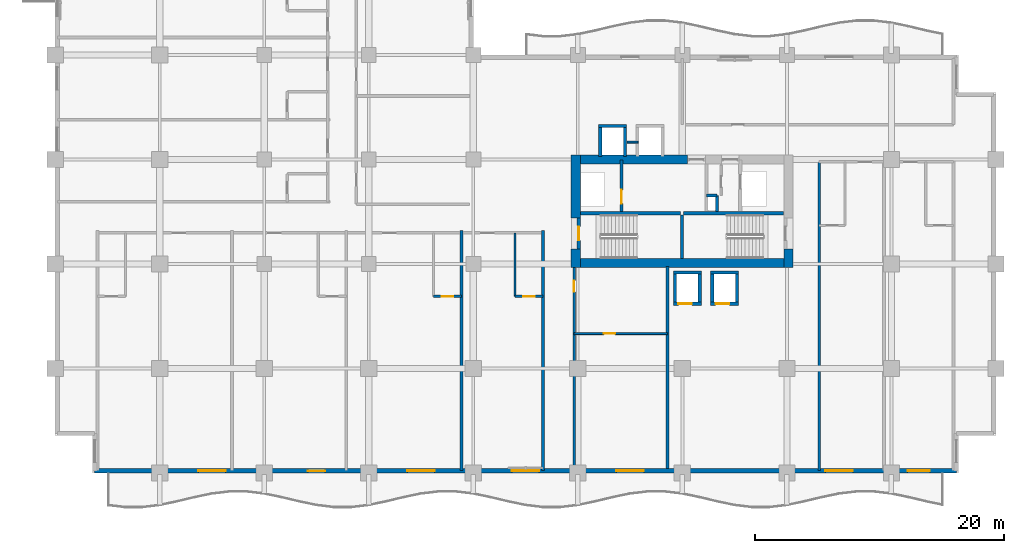
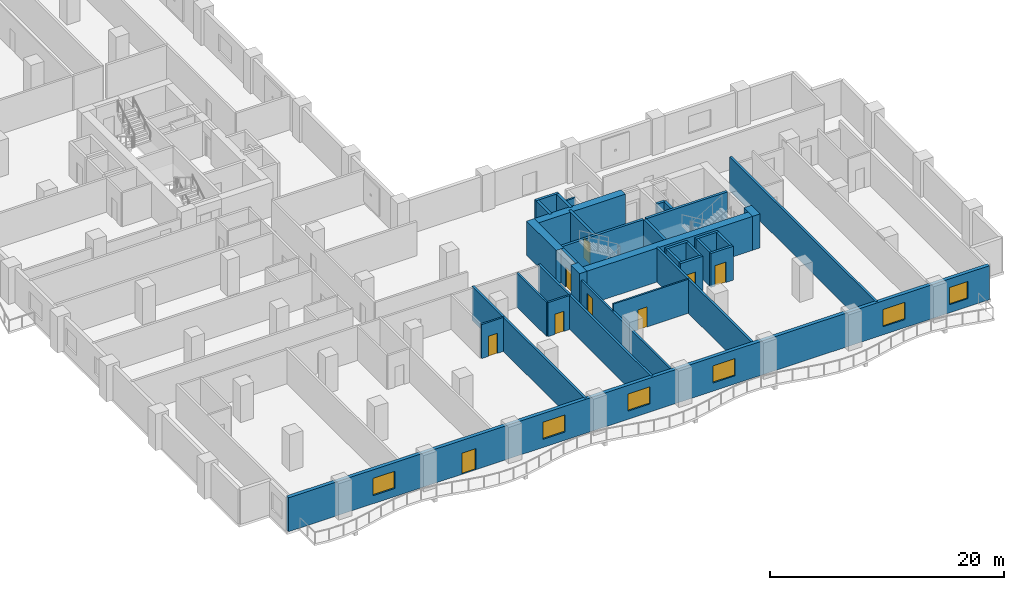
# One storey, part 5 of 18: 34 walls, 9 doors, 6 windows, 15 openings.
"""IFC4 building model written with IfcOpenShell, lengths in metres."""

from ifc_helpers import new_model, si_unit, direction, frame, frame_2d, origin, place, context, subcontext, project, spatial, rectangle, extrude, material, layer, layer_set, type_object, element, fill, save


model = new_model("IFC4")

# Units and contexts
model_context = context("Model", 3, precision=1e-05, world=origin(), true_north=direction((0.0, 1.0)))
body_context = subcontext(model_context, "Body", "Model", "MODEL_VIEW")
ifc_project = project(units=[si_unit("LENGTHUNIT", "METRE"), si_unit("AREAUNIT", "SQUARE_METRE"), si_unit("VOLUMEUNIT", "CUBIC_METRE"), si_unit("PLANEANGLEUNIT", "RADIAN"), si_unit("MASSUNIT", "GRAM", prefix="KILO")], contexts=[model_context])

# Site, building, storey
site_placement = place(None, origin())
site = spatial("IfcSite", under=ifc_project, at=site_placement, CompositionType="ELEMENT")
building_placement = place(site_placement, origin())
building = spatial("IfcBuilding", under=site, at=building_placement, Name="Koriwani Terraces Tower", CompositionType="ELEMENT")
storey_placement = place(building_placement, frame((0.0, 0.0, 115.199951171875)))
storey = spatial("IfcBuildingStorey", under=building, at=storey_placement, Name="L27", CompositionType="ELEMENT", Elevation=115.199951171875)

# Walls
ifc_material_1 = material(Name="Concrete C60/75", Category="concrete")
ifc_layer_1 = layer(ifc_material_1, 0.75, Name="Concrete C60/75")
ifc_layer_set_1 = layer_set([ifc_layer_1], Name="Concrete C60/75")
wall_type_1 = type_object("IfcWallType", Name="WALL_CORE_RC_750", PredefinedType="SHEAR", material=ifc_layer_set_1)
wall_1_placement = place(storey_placement, frame((41.824951171875, 16.5, 0.0), z_axis=(0.0, 0.0, 1.0), x_axis=(0.0, 1.0, 0.0)))
element("IfcWall", 1, at=wall_1_placement, inside=storey, type_object=wall_type_1, Name="L27 East Split Core Shear Wall W1", PredefinedType="SHEAR", context=body_context, shape_type="SweptSolid", body=[
    extrude(rectangle(XDim=1.5, YDim=0.75, at=frame_2d((0.75, 0.0))), origin(), (0.0, 0.0, 1.0), 3.550048828125),
])
wall_2_placement = place(storey_placement, frame((41.824951171875, 20.5, 0.0), z_axis=(0.0, 0.0, 1.0), x_axis=(0.0, 1.0, 0.0)))
element("IfcWall", 2, at=wall_2_placement, inside=storey, type_object=wall_type_1, Name="L27 East Split Core Shear Wall W2", PredefinedType="SHEAR", context=body_context, shape_type="SweptSolid", body=[
    extrude(rectangle(XDim=5.074951171875, YDim=0.75, at=frame_2d((2.53759765625, 0.0))), origin(), (0.0, 0.0, 1.0), 3.550048828125),
])
wall_3_placement = place(storey_placement, frame((58.925048828125, 16.5, 0.0), z_axis=(0.0, 0.0, 1.0), x_axis=(0.0, 1.0, 0.0)))
element("IfcWall", 3, at=wall_3_placement, inside=storey, type_object=wall_type_1, Name="L27 East Split Core Shear Wall E1", PredefinedType="SHEAR", context=body_context, shape_type="SweptSolid", body=[
    extrude(rectangle(XDim=1.5, YDim=0.75, at=frame_2d((0.75, 0.0))), origin(), (0.0, 0.0, 1.0), 3.550048828125),
])
wall_4_placement = place(storey_placement, frame((42.199951171875, 16.875, 0.0), z_axis=(0.0, 0.0, 1.0), x_axis=(1.0, 0.0, 0.0)))
element("IfcWall", 4, at=wall_4_placement, inside=storey, type_object=wall_type_1, Name="L27 East Split Core Shear Wall S1", PredefinedType="SHEAR", context=body_context, shape_type="SweptSolid", body=[
    extrude(rectangle(XDim=16.35009765625, YDim=0.75, at=frame_2d((8.175048828125, 0.0))), origin(), (0.0, 0.0, 1.0), 3.550048828125),
])
wall_5_placement = place(storey_placement, frame((42.199951171875, 25.199951171875, 0.0), z_axis=(0.0, 0.0, 1.0), x_axis=(1.0, 0.0, 0.0)))
element("IfcWall", 5, at=wall_5_placement, inside=storey, type_object=wall_type_1, Name="L27 East Split Core Shear Wall N1", PredefinedType="SHEAR", context=body_context, shape_type="SweptSolid", body=[
    extrude(rectangle(XDim=8.60009765625, YDim=0.75, at=frame_2d((4.300048828125, 0.0))), origin(), (0.0, 0.0, 1.0), 3.550048828125),
])

# Wall, opening, door
ifc_material_2 = material(Name="Autoclaved Cellular Concrete Blockwork", Category="masonry")
ifc_layer_2 = layer(ifc_material_2, 0.199951171875, Name="Autoclaved Cellular Concrete Blockwork")
ifc_layer_set_2 = layer_set([ifc_layer_2], Name="Autoclaved Cellular Concrete Blockwork")
wall_type_2 = type_object("IfcWallType", Name="WALL_CORRIDOR_200", PredefinedType="PARTITIONING", material=ifc_layer_set_2)
wall_6_placement = place(storey_placement, frame((41.699951171875, 0.35009765625, 0.0), z_axis=(0.0, 0.0, 1.0), x_axis=(0.0, 1.0, 0.0)))
wall_6 = element("IfcWall", 6, at=wall_6_placement, inside=storey, type_object=wall_type_2, Name="L27 Interior Wall WREC-EW-L27", PredefinedType="PARTITIONING", context=body_context, shape_type="SweptSolid", body=[
    extrude(rectangle(XDim=16.25, YDim=0.199951171875, at=frame_2d((8.125, 0.0))), origin(), (0.0, 0.0, 1.0), 2.800048828125),
])
opening_1_placement = place(wall_6_placement, frame((14.199951171875, 0.0, 0.0)))
opening_1 = element("IfcOpeningElement", 7, at=opening_1_placement, cuts=wall_6, Name="Opening D-06", PredefinedType="OPENING", context=body_context, shape_type="SweptSolid", body=[
    extrude(rectangle(XDim=0.919921875, YDim=2.10009765625, at=frame_2d((0.4599609375, 1.050048828125))), frame((0.0, 0.10986328125, 0.0), z_axis=(0.0, -1.0, 0.0), x_axis=(1.0, 0.0, 0.0)), (0.0, 0.0, 1.0), 0.219970703125),
])
ifc_material_3 = material(Name="Architectural Oak Fire Door", Category="wood")
door_type_1 = type_object("IfcDoorType", Name="DOOR_ROOM_INT_920X2100", OperationType="NOTDEFINED", PredefinedType="DOOR", material=ifc_material_3)
door_1_placement = place(opening_1_placement, origin())
door_1 = element("IfcDoor", 8, at=door_1_placement, inside=storey, type_object=door_type_1, Name="L27 Housekeeping and Linen Room Door", OperationType="SINGLE_SWING_LEFT", OverallHeight=2.10009765625, OverallWidth=0.919921875, PredefinedType="DOOR", context=body_context, shape_type="SweptSolid", body=[
    extrude(rectangle(XDim=0.919921875, YDim=2.10009765625, at=frame_2d((0.4599609375, 1.050048828125))), frame((0.0, 0.02490234375, 0.0), z_axis=(0.0, -1.0, 0.0), x_axis=(1.0, 0.0, 0.0)), (0.0, 0.0, 1.0), 0.050048828125),
])
fill(opening_1, door_1)

# Walls
ifc_layer_3 = layer(ifc_material_2, 0.219970703125, Name="Autoclaved Cellular Concrete Blockwork")
ifc_layer_set_3 = layer_set([ifc_layer_3], Name="Autoclaved Cellular Concrete Blockwork")
wall_type_3 = type_object("IfcWallType", Name="WALL_DEMISING_220", PredefinedType="PARTITIONING", material=ifc_layer_set_3)
wall_7_placement = place(storey_placement, frame((49.199951171875, 0.35009765625, 0.0), z_axis=(0.0, 0.0, 1.0), x_axis=(0.0, 1.0, 0.0)))
element("IfcWall", 9, at=wall_7_placement, inside=storey, type_object=wall_type_3, Name="L27 Interior Wall WREC-EE-L27", PredefinedType="PARTITIONING", context=body_context, shape_type="SweptSolid", body=[
    extrude(rectangle(XDim=16.25, YDim=0.219970703125, at=frame_2d((8.125, 0.0))), origin(), (0.0, 0.0, 1.0), 3.550048828125),
])
for number, where, z_axis, x_axis, name in (
    (10, (32.64990234375, 0.199951171875, 0.0), (0.0, 0.0, 1.0), (0.0, 1.0, 0.0), "L27 Interior Wall WDEM-L27-SW-3"),
    (11, (39.199951171875, 0.199951171875, 0.0), (0.0, 0.0, 1.0), (0.0, 1.0, 0.0), "L27 Interior Wall WDEME-L27-SW"),
):
    element("IfcWall", number, at=place(storey_placement, frame(where, z_axis=z_axis, x_axis=x_axis)), inside=storey, type_object=wall_type_3, Name=name, PredefinedType="PARTITIONING", context=body_context, shape_type="SweptSolid", body=[
        extrude(rectangle(XDim=19.280029296875, YDim=0.219970703125, at=frame_2d((9.64013671875, 0.0))), origin(), (0.0, 0.0, 1.0), 3.550048828125),
    ])
wall_8_placement = place(storey_placement, frame((61.39990234375, 0.199951171875, 0.0), z_axis=(0.0, 0.0, 1.0), x_axis=(0.0, 1.0, 0.0)))
element("IfcWall", 12, at=wall_8_placement, inside=storey, type_object=wall_type_3, Name="L27 Interior Wall WDEM-L27-SE-0", PredefinedType="PARTITIONING", context=body_context, shape_type="SweptSolid", body=[
    extrude(rectangle(XDim=24.97998046875, YDim=0.219970703125, at=frame_2d((12.489990234375, 0.0))), origin(), (0.0, 0.0, 1.0), 3.550048828125),
])

# Wall, openings, door, windows
ifc_material_4 = material(Name="Concrete C50/60", Category="concrete")
ifc_layer_4 = layer(ifc_material_4, 0.35009765625, Name="Concrete C50/60")
ifc_layer_set_4 = layer_set([ifc_layer_4], Name="Concrete C50/60")
wall_type_4 = type_object("IfcWallType", Name="WALL_EXT_BRUTALIST_350", PredefinedType="STANDARD", material=ifc_layer_set_4)
wall_9_placement = place(storey_placement, frame((72.425048828125, 0.175048828125, 0.0), z_axis=(0.0, 0.0, 1.0), x_axis=(-1.0, 0.0, 0.0)))
wall_9 = element("IfcWall", 13, at=wall_9_placement, inside=storey, type_object=wall_type_4, Name="L27 Fair-Faced Brutalist Exterior Wall (S)", PredefinedType="STANDARD", context=body_context, shape_type="SweptSolid", body=[
    extrude(rectangle(XDim=69.25, YDim=0.35009765625, at=frame_2d((34.625, 0.0))), origin(), (0.0, 0.0, 1.0), 3.550048828125),
])
opening_2_placement = place(wall_9_placement, frame((50.72509765625, 0.0, 0.0)))
opening_2 = element("IfcOpeningElement", 14, at=opening_2_placement, cuts=wall_9, Name="Opening D-09", PredefinedType="OPENING", context=body_context, shape_type="SweptSolid", body=[
    extrude(rectangle(XDim=1.39990234375, YDim=2.199951171875, at=frame_2d((0.699951171875, 1.10009765625))), frame((0.0, 0.18505859375, 0.0), z_axis=(0.0, -1.0, 0.0), x_axis=(1.0, 0.0, 0.0)), (0.0, 0.0, 1.0), 0.3701171875),
])
opening_3_placement = place(wall_9_placement, frame((58.72509765625, 0.0, 0.85009765625)))
opening_3 = element("IfcOpeningElement", 15, at=opening_3_placement, cuts=wall_9, Name="Opening W-01", PredefinedType="OPENING", context=body_context, shape_type="SweptSolid", body=[
    extrude(rectangle(XDim=2.199951171875, YDim=1.800048828125, at=frame_2d((1.10009765625, 0.89990234375))), frame((0.0, 0.18505859375, 0.0), z_axis=(0.0, -1.0, 0.0), x_axis=(1.0, 0.0, 0.0)), (0.0, 0.0, 1.0), 0.3701171875),
])
opening_4_placement = place(wall_9_placement, frame((41.925048828125, 0.0, 0.85009765625)))
opening_4 = element("IfcOpeningElement", 16, at=opening_4_placement, cuts=wall_9, Name="Opening W-01", PredefinedType="OPENING", context=body_context, shape_type="SweptSolid", body=[
    extrude(rectangle(XDim=2.199951171875, YDim=1.800048828125, at=frame_2d((1.10009765625, 0.89990234375))), frame((0.0, 0.18505859375, 0.0), z_axis=(0.0, -1.0, 0.0), x_axis=(1.0, 0.0, 0.0)), (0.0, 0.0, 1.0), 0.3701171875),
])
opening_5_placement = place(wall_9_placement, frame((33.52490234375, 0.0, 0.85009765625)))
opening_5 = element("IfcOpeningElement", 17, at=opening_5_placement, cuts=wall_9, Name="Opening W-01", PredefinedType="OPENING", context=body_context, shape_type="SweptSolid", body=[
    extrude(rectangle(XDim=2.199951171875, YDim=1.800048828125, at=frame_2d((1.10009765625, 0.89990234375))), frame((0.0, 0.18505859375, 0.0), z_axis=(0.0, -1.0, 0.0), x_axis=(1.0, 0.0, 0.0)), (0.0, 0.0, 1.0), 0.3701171875),
])
opening_6_placement = place(wall_9_placement, frame((25.125, 0.0, 0.85009765625)))
opening_6 = element("IfcOpeningElement", 18, at=opening_6_placement, cuts=wall_9, Name="Opening W-01", PredefinedType="OPENING", context=body_context, shape_type="SweptSolid", body=[
    extrude(rectangle(XDim=2.199951171875, YDim=1.800048828125, at=frame_2d((1.10009765625, 0.89990234375))), frame((0.0, 0.18505859375, 0.0), z_axis=(0.0, -1.0, 0.0), x_axis=(1.0, 0.0, 0.0)), (0.0, 0.0, 1.0), 0.3701171875),
])
opening_7_placement = place(wall_9_placement, frame((8.324951171875, 0.0, 0.85009765625)))
opening_7 = element("IfcOpeningElement", 19, at=opening_7_placement, cuts=wall_9, Name="Opening W-01", PredefinedType="OPENING", context=body_context, shape_type="SweptSolid", body=[
    extrude(rectangle(XDim=2.199951171875, YDim=1.800048828125, at=frame_2d((1.10009765625, 0.89990234375))), frame((0.0, 0.18505859375, 0.0), z_axis=(0.0, -1.0, 0.0), x_axis=(1.0, 0.0, 0.0)), (0.0, 0.0, 1.0), 0.3701171875),
])
opening_8_placement = place(wall_9_placement, frame((2.125, 0.0, 0.85009765625)))
opening_8 = element("IfcOpeningElement", 20, at=opening_8_placement, cuts=wall_9, Name="Opening W-04", PredefinedType="OPENING", context=body_context, shape_type="SweptSolid", body=[
    extrude(rectangle(XDim=1.800048828125, YDim=1.800048828125, at=frame_2d((0.89990234375, 0.89990234375))), frame((0.0, 0.18505859375, 0.0), z_axis=(0.0, -1.0, 0.0), x_axis=(1.0, 0.0, 0.0)), (0.0, 0.0, 1.0), 0.3701171875),
])
ifc_material_5 = material(Name="Anodised Bronze Aluminium", Category="aluminium")
door_type_2 = type_object("IfcDoorType", Name="DOOR_BALCONY_GLAZED_1400X2200", OperationType="NOTDEFINED", PredefinedType="DOOR", material=ifc_material_5)
door_2_placement = place(opening_2_placement, origin())
door_2 = element("IfcDoor", 21, at=door_2_placement, inside=storey, type_object=door_type_2, Name="L27 South Balcony Glazed Door", OperationType="SINGLE_SWING_LEFT", OverallHeight=2.199951171875, OverallWidth=1.39990234375, PredefinedType="DOOR", context=body_context, shape_type="SweptSolid", body=[
    extrude(rectangle(XDim=1.39990234375, YDim=2.199951171875, at=frame_2d((0.699951171875, 1.10009765625))), frame((0.0, 0.02490234375, 0.0), z_axis=(0.0, -1.0, 0.0), x_axis=(1.0, 0.0, 0.0)), (0.0, 0.0, 1.0), 0.050048828125),
])
fill(opening_2, door_2)
ifc_material_6 = material(Name="Tempered Laminated Low-E Glass", Category="glass")
window_type_1 = type_object("IfcWindowType", Name="WIN_HOTEL_STD_2200X1800", PartitioningType="DOUBLE_PANEL_VERTICAL", PredefinedType="WINDOW", material=ifc_material_6)
window_1_placement = place(opening_3_placement, origin())
window_1 = element("IfcWindow", 22, at=window_1_placement, inside=storey, type_object=window_type_1, Name="L27 Exterior Window (S-3)", OverallHeight=1.800048828125, OverallWidth=2.199951171875, PartitioningType="SINGLE_PANEL", PredefinedType="WINDOW", context=body_context, shape_type="SweptSolid", body=[
    extrude(rectangle(XDim=2.199951171875, YDim=1.800048828125, at=frame_2d((1.10009765625, 0.89990234375))), frame((0.0, 0.030029296875, 0.0), z_axis=(0.0, -1.0, 0.0), x_axis=(1.0, 0.0, 0.0)), (0.0, 0.0, 1.0), 0.06005859375),
])
fill(opening_3, window_1)
window_2_placement = place(opening_4_placement, origin())
window_2 = element("IfcWindow", 23, at=window_2_placement, inside=storey, type_object=window_type_1, Name="L27 Exterior Window (S-9)", OverallHeight=1.800048828125, OverallWidth=2.199951171875, PartitioningType="SINGLE_PANEL", PredefinedType="WINDOW", context=body_context, shape_type="SweptSolid", body=[
    extrude(rectangle(XDim=2.199951171875, YDim=1.800048828125, at=frame_2d((1.10009765625, 0.89990234375))), frame((0.0, 0.030029296875, 0.0), z_axis=(0.0, -1.0, 0.0), x_axis=(1.0, 0.0, 0.0)), (0.0, 0.0, 1.0), 0.06005859375),
])
fill(opening_4, window_2)
window_3_placement = place(opening_5_placement, origin())
window_3 = element("IfcWindow", 24, at=window_3_placement, inside=storey, type_object=window_type_1, Name="L27 Exterior Window (S-12)", OverallHeight=1.800048828125, OverallWidth=2.199951171875, PartitioningType="SINGLE_PANEL", PredefinedType="WINDOW", context=body_context, shape_type="SweptSolid", body=[
    extrude(rectangle(XDim=2.199951171875, YDim=1.800048828125, at=frame_2d((1.10009765625, 0.89990234375))), frame((0.0, 0.030029296875, 0.0), z_axis=(0.0, -1.0, 0.0), x_axis=(1.0, 0.0, 0.0)), (0.0, 0.0, 1.0), 0.06005859375),
])
fill(opening_5, window_3)
window_4_placement = place(opening_6_placement, origin())
window_4 = element("IfcWindow", 25, at=window_4_placement, inside=storey, type_object=window_type_1, Name="L27 Exterior Window (S-15)", OverallHeight=1.800048828125, OverallWidth=2.199951171875, PartitioningType="SINGLE_PANEL", PredefinedType="WINDOW", context=body_context, shape_type="SweptSolid", body=[
    extrude(rectangle(XDim=2.199951171875, YDim=1.800048828125, at=frame_2d((1.10009765625, 0.89990234375))), frame((0.0, 0.030029296875, 0.0), z_axis=(0.0, -1.0, 0.0), x_axis=(1.0, 0.0, 0.0)), (0.0, 0.0, 1.0), 0.06005859375),
])
fill(opening_6, window_4)
window_5_placement = place(opening_7_placement, origin())
window_5 = element("IfcWindow", 26, at=window_5_placement, inside=storey, type_object=window_type_1, Name="L27 Exterior Window (S-21)", OverallHeight=1.800048828125, OverallWidth=2.199951171875, PartitioningType="SINGLE_PANEL", PredefinedType="WINDOW", context=body_context, shape_type="SweptSolid", body=[
    extrude(rectangle(XDim=2.199951171875, YDim=1.800048828125, at=frame_2d((1.10009765625, 0.89990234375))), frame((0.0, 0.030029296875, 0.0), z_axis=(0.0, -1.0, 0.0), x_axis=(1.0, 0.0, 0.0)), (0.0, 0.0, 1.0), 0.06005859375),
])
fill(opening_7, window_5)
window_type_2 = type_object("IfcWindowType", Name="WIN_RES_BED_1800X1800", PartitioningType="DOUBLE_PANEL_VERTICAL", PredefinedType="WINDOW", material=ifc_material_6)
window_6_placement = place(opening_8_placement, origin())
window_6 = element("IfcWindow", 27, at=window_6_placement, inside=storey, type_object=window_type_2, Name="L27 Exterior Window (S-R51)", OverallHeight=1.800048828125, OverallWidth=1.800048828125, PartitioningType="SINGLE_PANEL", PredefinedType="WINDOW", context=body_context, shape_type="SweptSolid", body=[
    extrude(rectangle(XDim=1.800048828125, YDim=1.800048828125, at=frame_2d((0.89990234375, 0.89990234375))), frame((0.0, 0.030029296875, 0.0), z_axis=(0.0, -1.0, 0.0), x_axis=(1.0, 0.0, 0.0)), (0.0, 0.0, 1.0), 0.06005859375),
])
fill(opening_8, window_6)

# Wall, opening, door
ifc_material_7 = material(Name="Fire-Rated Acoustic Gypsum Partition", Category="masonry")
ifc_layer_5 = layer(ifc_material_7, 0.179931640625, Name="Fire-Rated Acoustic Gypsum Partition")
ifc_layer_set_5 = layer_set([ifc_layer_5], Name="Fire-Rated Acoustic Gypsum Partition")
wall_type_5 = type_object("IfcWallType", Name="WALL_PLUMBING_180", PredefinedType="PLUMBINGWALL", material=ifc_layer_set_5)
wall_10_placement = place(storey_placement, frame((30.39990234375, 14.199951171875, 0.0), z_axis=(0.0, 0.0, 1.0), x_axis=(1.0, 0.0, 0.0)))
wall_10 = element("IfcWall", 28, at=wall_10_placement, inside=storey, type_object=wall_type_5, Name="L27 Interior Wall WBTH1-L27-SW-2", PredefinedType="PLUMBINGWALL", context=body_context, shape_type="SweptSolid", body=[
    extrude(rectangle(XDim=2.25, YDim=0.179931640625, at=frame_2d((1.125, 0.0))), origin(), (0.0, 0.0, 1.0), 3.550048828125),
])
opening_9_placement = place(wall_10_placement, frame((0.675048828125, 0.0, 0.0)))
opening_9 = element("IfcOpeningElement", 29, at=opening_9_placement, cuts=wall_10, Name="Opening D-07", PredefinedType="OPENING", context=body_context, shape_type="SweptSolid", body=[
    extrude(rectangle(XDim=0.89990234375, YDim=2.10009765625, at=frame_2d((0.449951171875, 1.050048828125))), frame((0.0, 0.10009765625, 0.0), z_axis=(0.0, -1.0, 0.0), x_axis=(1.0, 0.0, 0.0)), (0.0, 0.0, 1.0), 0.199951171875),
])
door_type_3 = type_object("IfcDoorType", Name="DOOR_BATH_INT_900X2100", OperationType="NOTDEFINED", PredefinedType="DOOR", material=ifc_material_3)
door_3_placement = place(opening_9_placement, origin())
door_3 = element("IfcDoor", 30, at=door_3_placement, inside=storey, type_object=door_type_3, Name="En-Suite Bathroom 27SW3 Door", OperationType="SINGLE_SWING_RIGHT", OverallHeight=2.10009765625, OverallWidth=0.89990234375, PredefinedType="DOOR", context=body_context, shape_type="SweptSolid", body=[
    extrude(rectangle(XDim=0.89990234375, YDim=2.10009765625, at=frame_2d((0.449951171875, 1.050048828125))), frame((0.0, 0.02490234375, 0.0), z_axis=(0.0, -1.0, 0.0), x_axis=(1.0, 0.0, 0.0)), (0.0, 0.0, 1.0), 0.050048828125),
])
fill(opening_9, door_3)

wall_11_placement = place(storey_placement, frame((36.949951171875, 14.199951171875, 0.0), z_axis=(0.0, 0.0, 1.0), x_axis=(1.0, 0.0, 0.0)))
wall_11 = element("IfcWall", 31, at=wall_11_placement, inside=storey, type_object=wall_type_5, Name="L27 Interior Wall WBTH1-L27-SW-3", PredefinedType="PLUMBINGWALL", context=body_context, shape_type="SweptSolid", body=[
    extrude(rectangle(XDim=2.25, YDim=0.179931640625, at=frame_2d((1.125, 0.0))), origin(), (0.0, 0.0, 1.0), 3.550048828125),
])
opening_10_placement = place(wall_11_placement, frame((0.675048828125, 0.0, 0.0)))
opening_10 = element("IfcOpeningElement", 32, at=opening_10_placement, cuts=wall_11, Name="Opening D-07", PredefinedType="OPENING", context=body_context, shape_type="SweptSolid", body=[
    extrude(rectangle(XDim=0.89990234375, YDim=2.10009765625, at=frame_2d((0.449951171875, 1.050048828125))), frame((0.0, 0.10009765625, 0.0), z_axis=(0.0, -1.0, 0.0), x_axis=(1.0, 0.0, 0.0)), (0.0, 0.0, 1.0), 0.199951171875),
])
door_4_placement = place(opening_10_placement, origin())
door_4 = element("IfcDoor", 33, at=door_4_placement, inside=storey, type_object=door_type_3, Name="En-Suite Bathroom 27SW4 Door", OperationType="SINGLE_SWING_RIGHT", OverallHeight=2.10009765625, OverallWidth=0.89990234375, PredefinedType="DOOR", context=body_context, shape_type="SweptSolid", body=[
    extrude(rectangle(XDim=0.89990234375, YDim=2.10009765625, at=frame_2d((0.449951171875, 1.050048828125))), frame((0.0, 0.02490234375, 0.0), z_axis=(0.0, -1.0, 0.0), x_axis=(1.0, 0.0, 0.0)), (0.0, 0.0, 1.0), 0.050048828125),
])
fill(opening_10, door_4)

# Walls
wall_12_placement = place(storey_placement, frame((36.949951171875, 14.199951171875, 0.0), z_axis=(0.0, 0.0, 1.0), x_axis=(0.0, 1.0, 0.0)))
element("IfcWall", 34, at=wall_12_placement, inside=storey, type_object=wall_type_5, Name="L27 Interior Wall WBTH2-L27-SW-3", PredefinedType="PLUMBINGWALL", context=body_context, shape_type="SweptSolid", body=[
    extrude(rectangle(XDim=5.10009765625, YDim=0.179931640625, at=frame_2d((2.550048828125, 0.0))), origin(), (0.0, 0.0, 1.0), 3.550048828125),
])
ifc_material_8 = material(Name="Concrete C40/50", Category="concrete")
ifc_layer_6 = layer(ifc_material_8, 0.25, Name="Concrete C40/50")
ifc_layer_set_6 = layer_set([ifc_layer_6], Name="Concrete C40/50")
wall_type_6 = type_object("IfcWallType", Name="WALL_SHAFT_RATED_250", PredefinedType="SOLIDWALL", material=ifc_layer_set_6)
for number, where, z_axis, x_axis, name in (
    (35, (42.199951171875, 20.875, 0.0), (0.0, 0.0, 1.0), (1.0, 0.0, 0.0), "L27 East Split Core Web Wall MID1"),
    (36, (50.5, 20.875, 0.0), (0.0, 0.0, 1.0), (1.0, 0.0, 0.0), "L27 East Split Core Web Wall MID2"),
):
    element("IfcWall", number, at=place(storey_placement, frame(where, z_axis=z_axis, x_axis=x_axis)), inside=storey, type_object=wall_type_6, Name=name, PredefinedType="SOLIDWALL", context=body_context, shape_type="SweptSolid", body=[
        extrude(rectangle(XDim=8.050048828125, YDim=0.25, at=frame_2d((4.02490234375, 0.0))), origin(), (0.0, 0.0, 1.0), 3.550048828125),
    ])
wall_13_placement = place(storey_placement, frame((50.375, 17.25, 0.0), z_axis=(0.0, 0.0, 1.0), x_axis=(0.0, 1.0, 0.0)))
element("IfcWall", 37, at=wall_13_placement, inside=storey, type_object=wall_type_6, Name="L27 East Split Core Stair Dividing Wall", PredefinedType="SOLIDWALL", context=body_context, shape_type="SweptSolid", body=[
    extrude(rectangle(XDim=3.5, YDim=0.25, at=frame_2d((1.75, 0.0))), origin(), (0.0, 0.0, 1.0), 3.550048828125),
])

# Wall, opening, door
wall_14_placement = place(storey_placement, frame((42.074951171875, 18.0, 0.0), z_axis=(0.0, 0.0, 1.0), x_axis=(0.0, 1.0, 0.0)))
wall_14 = element("IfcWall", 38, at=wall_14_placement, inside=storey, type_object=wall_type_6, Name="L27 Interior Wall WIN-CE-L27-STW", PredefinedType="SOLIDWALL", context=body_context, shape_type="SweptSolid", body=[
    extrude(rectangle(XDim=2.5, YDim=0.25, at=frame_2d((1.25, 0.0))), origin(), (0.0, 0.0, 1.0), 3.550048828125),
])
opening_11_placement = place(wall_14_placement, frame((0.699951171875, 0.0, 0.0)))
opening_11 = element("IfcOpeningElement", 39, at=opening_11_placement, cuts=wall_14, Name="Opening D-03", PredefinedType="OPENING", context=body_context, shape_type="SweptSolid", body=[
    extrude(rectangle(XDim=1.10009765625, YDim=2.14990234375, at=frame_2d((0.550048828125, 1.074951171875))), frame((0.0, 0.135009765625, 0.0), z_axis=(0.0, -1.0, 0.0), x_axis=(1.0, 0.0, 0.0)), (0.0, 0.0, 1.0), 0.27001953125),
])
ifc_material_9 = material(Name="Steel ASTM A572 Grade 50", Category="steel")
door_type_4 = type_object("IfcDoorType", Name="DOOR_STAIR_FIRE_1100X2150", OperationType="NOTDEFINED", PredefinedType="DOOR", material=ifc_material_9)
door_5_placement = place(opening_11_placement, origin())
door_5 = element("IfcDoor", 40, at=door_5_placement, inside=storey, type_object=door_type_4, Name="L27 Exit Stair ST-E1 Door", OperationType="SINGLE_SWING_RIGHT", OverallHeight=2.14990234375, OverallWidth=1.10009765625, PredefinedType="DOOR", context=body_context, shape_type="SweptSolid", body=[
    extrude(rectangle(XDim=1.10009765625, YDim=2.14990234375, at=frame_2d((0.550048828125, 1.074951171875))), frame((0.0, 0.02490234375, 0.0), z_axis=(0.0, -1.0, 0.0), x_axis=(1.0, 0.0, 0.0)), (0.0, 0.0, 1.0), 0.050048828125),
])
fill(opening_11, door_5)

wall_15_placement = place(storey_placement, frame((45.5, 21.0, 0.0), z_axis=(0.0, 0.0, 1.0), x_axis=(0.0, 1.0, 0.0)))
wall_15 = element("IfcWall", 41, at=wall_15_placement, inside=storey, type_object=wall_type_6, Name="L27 Interior Wall WIN-CE-L27-FE", PredefinedType="SOLIDWALL", context=body_context, shape_type="SweptSolid", body=[
    extrude(rectangle(XDim=4.14990234375, YDim=0.25, at=frame_2d((2.074951171875, 0.0))), origin(), (0.0, 0.0, 1.0), 3.550048828125),
])
opening_12_placement = place(wall_15_placement, frame((0.64990234375, 0.0, 0.0)))
opening_12 = element("IfcOpeningElement", 42, at=opening_12_placement, cuts=wall_15, Name="Opening LD-01", PredefinedType="OPENING", context=body_context, shape_type="SweptSolid", body=[
    extrude(rectangle(XDim=1.10009765625, YDim=2.14990234375, at=frame_2d((0.550048828125, 1.074951171875))), frame((0.0, 0.135009765625, 0.0), z_axis=(0.0, -1.0, 0.0), x_axis=(1.0, 0.0, 0.0)), (0.0, 0.0, 1.0), 0.27001953125),
])
door_type_5 = type_object("IfcDoorType", Name="DOOR_LIFT_LANDING_1100X2200", OperationType="NOTDEFINED", PredefinedType="DOOR", material=ifc_material_9)
door_6_placement = place(opening_12_placement, origin())
door_6 = element("IfcDoor", 43, at=door_6_placement, inside=storey, type_object=door_type_5, Name="L27 Firefighting Lift FE-02 Landing Door", OperationType="SLIDING_TO_LEFT", OverallHeight=2.14990234375, OverallWidth=1.10009765625, PredefinedType="DOOR", context=body_context, shape_type="SweptSolid", body=[
    extrude(rectangle(XDim=1.10009765625, YDim=2.14990234375, at=frame_2d((0.550048828125, 1.074951171875))), frame((0.0, 0.02490234375, 0.0), z_axis=(0.0, -1.0, 0.0), x_axis=(1.0, 0.0, 0.0)), (0.0, 0.0, 1.0), 0.050048828125),
])
fill(opening_12, door_6)

# Walls
wall_16_placement = place(storey_placement, frame((53.199951171875, 21.0, 0.0), z_axis=(0.0, 0.0, 1.0), x_axis=(0.0, 1.0, 0.0)))
element("IfcWall", 44, at=wall_16_placement, inside=storey, type_object=wall_type_6, Name="L27 Interior Wall WIN-CE-L27-RS1", PredefinedType="SOLIDWALL", context=body_context, shape_type="SweptSolid", body=[
    extrude(rectangle(XDim=1.300048828125, YDim=0.25, at=frame_2d((0.64990234375, 0.0))), origin(), (0.0, 0.0, 1.0), 3.550048828125),
])
wall_17_placement = place(storey_placement, frame((52.360107421875, 22.300048828125, 0.0), z_axis=(0.0, 0.0, 1.0), x_axis=(1.0, 0.0, 0.0)))
element("IfcWall", 45, at=wall_17_placement, inside=storey, type_object=wall_type_6, Name="L27 Interior Wall WIN-CE-L27-RS2", PredefinedType="SOLIDWALL", context=body_context, shape_type="SweptSolid", body=[
    extrude(rectangle(XDim=0.83984375, YDim=0.25, at=frame_2d((0.419921875, 0.0))), origin(), (0.0, 0.0, 1.0), 3.550048828125),
])

# Wall, opening, door
wall_18_placement = place(storey_placement, frame((49.675048828125, 13.60009765625, 0.0), z_axis=(0.0, 0.0, 1.0), x_axis=(1.0, 0.0, 0.0)))
wall_18 = element("IfcWall", 46, at=wall_18_placement, inside=storey, type_object=wall_type_6, Name="L27 Interior Wall WIN-LF-PE-M3-L27-F", PredefinedType="SOLIDWALL", context=body_context, shape_type="SweptSolid", body=[
    extrude(rectangle(XDim=2.25, YDim=0.25, at=frame_2d((1.125, 0.0))), origin(), (0.0, 0.0, 1.0), 3.550048828125),
])
opening_13_placement = place(wall_18_placement, frame((0.39990234375, 0.0, 0.0)))
opening_13 = element("IfcOpeningElement", 47, at=opening_13_placement, cuts=wall_18, Name="Opening LD-01", PredefinedType="OPENING", context=body_context, shape_type="SweptSolid", body=[
    extrude(rectangle(XDim=1.10009765625, YDim=2.14990234375, at=frame_2d((0.550048828125, 1.074951171875))), frame((0.0, 0.135009765625, 0.0), z_axis=(0.0, -1.0, 0.0), x_axis=(1.0, 0.0, 0.0)), (0.0, 0.0, 1.0), 0.27001953125),
])
door_7_placement = place(opening_13_placement, origin())
door_7 = element("IfcDoor", 48, at=door_7_placement, inside=storey, type_object=door_type_5, Name="L27 Passenger Lift PE-M3 Landing Door", OperationType="SLIDING_TO_LEFT", OverallHeight=2.14990234375, OverallWidth=1.10009765625, PredefinedType="DOOR", context=body_context, shape_type="SweptSolid", body=[
    extrude(rectangle(XDim=1.10009765625, YDim=2.14990234375, at=frame_2d((0.550048828125, 1.074951171875))), frame((0.0, 0.02490234375, 0.0), z_axis=(0.0, -1.0, 0.0), x_axis=(1.0, 0.0, 0.0)), (0.0, 0.0, 1.0), 0.050048828125),
])
fill(opening_13, door_7)

# Walls
for number, where, z_axis, x_axis, name in (
    (49, (49.675048828125, 16.10009765625, 0.0), (0.0, 0.0, 1.0), (1.0, 0.0, 0.0), "L27 Interior Wall WIN-LF-PE-M3-L27-B"),
    (50, (49.800048828125, 13.72509765625, 0.0), (0.0, 0.0, 1.0), (0.0, 1.0, 0.0), "L27 Interior Wall WIN-LF-PE-M3-L27-W"),
    (51, (51.800048828125, 13.72509765625, 0.0), (0.0, 0.0, 1.0), (0.0, 1.0, 0.0), "L27 Interior Wall WIN-LF-PE-M3-L27-E"),
):
    element("IfcWall", number, at=place(storey_placement, frame(where, z_axis=z_axis, x_axis=x_axis)), inside=storey, type_object=wall_type_6, Name=name, PredefinedType="SOLIDWALL", context=body_context, shape_type="SweptSolid", body=[
        extrude(rectangle(XDim=2.25, YDim=0.25, at=frame_2d((1.125, 0.0))), origin(), (0.0, 0.0, 1.0), 3.550048828125),
    ])

# Wall, opening, door
wall_19_placement = place(storey_placement, frame((52.675048828125, 13.60009765625, 0.0), z_axis=(0.0, 0.0, 1.0), x_axis=(1.0, 0.0, 0.0)))
wall_19 = element("IfcWall", 52, at=wall_19_placement, inside=storey, type_object=wall_type_6, Name="L27 Interior Wall WIN-LF-PE-M4-L27-F", PredefinedType="SOLIDWALL", context=body_context, shape_type="SweptSolid", body=[
    extrude(rectangle(XDim=2.25, YDim=0.25, at=frame_2d((1.125, 0.0))), origin(), (0.0, 0.0, 1.0), 3.550048828125),
])
opening_14_placement = place(wall_19_placement, frame((0.39990234375, 0.0, 0.0)))
opening_14 = element("IfcOpeningElement", 53, at=opening_14_placement, cuts=wall_19, Name="Opening LD-01", PredefinedType="OPENING", context=body_context, shape_type="SweptSolid", body=[
    extrude(rectangle(XDim=1.10009765625, YDim=2.14990234375, at=frame_2d((0.550048828125, 1.074951171875))), frame((0.0, 0.135009765625, 0.0), z_axis=(0.0, -1.0, 0.0), x_axis=(1.0, 0.0, 0.0)), (0.0, 0.0, 1.0), 0.27001953125),
])
door_8_placement = place(opening_14_placement, origin())
door_8 = element("IfcDoor", 54, at=door_8_placement, inside=storey, type_object=door_type_5, Name="L27 Passenger Lift PE-M4 Landing Door", OperationType="SLIDING_TO_LEFT", OverallHeight=2.14990234375, OverallWidth=1.10009765625, PredefinedType="DOOR", context=body_context, shape_type="SweptSolid", body=[
    extrude(rectangle(XDim=1.10009765625, YDim=2.14990234375, at=frame_2d((0.550048828125, 1.074951171875))), frame((0.0, 0.02490234375, 0.0), z_axis=(0.0, -1.0, 0.0), x_axis=(1.0, 0.0, 0.0)), (0.0, 0.0, 1.0), 0.050048828125),
])
fill(opening_14, door_8)

# Walls
for number, where, z_axis, x_axis, name in (
    (55, (52.675048828125, 16.10009765625, 0.0), (0.0, 0.0, 1.0), (1.0, 0.0, 0.0), "L27 Interior Wall WIN-LF-PE-M4-L27-B"),
    (56, (52.800048828125, 13.72509765625, 0.0), (0.0, 0.0, 1.0), (0.0, 1.0, 0.0), "L27 Interior Wall WIN-LF-PE-M4-L27-W"),
    (57, (54.800048828125, 13.72509765625, 0.0), (0.0, 0.0, 1.0), (0.0, 1.0, 0.0), "L27 Interior Wall WIN-LF-PE-M4-L27-E"),
    (58, (43.675048828125, 27.89990234375, 0.0), (0.0, 0.0, 1.0), (1.0, 0.0, 0.0), "L27 Interior Wall WIN-LF-PE-H3-L27-F"),
):
    element("IfcWall", number, at=place(storey_placement, frame(where, z_axis=z_axis, x_axis=x_axis)), inside=storey, type_object=wall_type_6, Name=name, PredefinedType="SOLIDWALL", context=body_context, shape_type="SweptSolid", body=[
        extrude(rectangle(XDim=2.25, YDim=0.25, at=frame_2d((1.125, 0.0))), origin(), (0.0, 0.0, 1.0), 3.550048828125),
    ])
for number, where, z_axis, x_axis, name in (
    (59, (43.800048828125, 25.449951171875, 0.0), (0.0, 0.0, 1.0), (0.0, 1.0, 0.0), "L27 Interior Wall WIN-LF-PE-H3-L27-W"),
    (60, (45.800048828125, 25.449951171875, 0.0), (0.0, 0.0, 1.0), (0.0, 1.0, 0.0), "L27 Interior Wall WIN-LF-PE-H3-L27-E"),
):
    element("IfcWall", number, at=place(storey_placement, frame(where, z_axis=z_axis, x_axis=x_axis)), inside=storey, type_object=wall_type_6, Name=name, PredefinedType="SOLIDWALL", context=body_context, shape_type="SweptSolid", body=[
        extrude(rectangle(XDim=2.324951171875, YDim=0.25, at=frame_2d((1.16259765625, 0.0))), origin(), (0.0, 0.0, 1.0), 3.550048828125),
    ])
ifc_layer_7 = layer(ifc_material_7, 0.159912109375, Name="Fire-Rated Acoustic Gypsum Partition")
ifc_layer_set_7 = layer_set([ifc_layer_7], Name="Fire-Rated Acoustic Gypsum Partition")
wall_type_7 = type_object("IfcWallType", Name="WALL_SUITE_160", PredefinedType="PARTITIONING", material=ifc_layer_set_7)
wall_20_placement = place(storey_placement, frame((45.9599609375, 26.60009765625, 0.0), z_axis=(0.0, 0.0, 1.0), x_axis=(1.0, 0.0, 0.0)))
element("IfcWall", 61, at=wall_20_placement, inside=storey, type_object=wall_type_7, Name="L27 Interior Wall WIN-LF-PEH34-MID-L27", PredefinedType="PARTITIONING", context=body_context, shape_type="SweptSolid", body=[
    extrude(rectangle(XDim=0.880126953125, YDim=0.159912109375, at=frame_2d((0.43994140625, 0.0))), origin(), (0.0, 0.0, 1.0), 3.550048828125),
])

# Wall, opening, door
wall_21_placement = place(storey_placement, frame((41.699951171875, 11.199951171875, 0.0), z_axis=(0.0, 0.0, 1.0), x_axis=(1.0, 0.0, 0.0)))
wall_21 = element("IfcWall", 62, at=wall_21_placement, inside=storey, type_object=wall_type_7, Name="L27 Interior Wall WREC-EM-L27", PredefinedType="PARTITIONING", context=body_context, shape_type="SweptSolid", body=[
    extrude(rectangle(XDim=7.5, YDim=0.159912109375, at=frame_2d((3.75, 0.0))), origin(), (0.0, 0.0, 1.0), 3.550048828125),
])
opening_15_placement = place(wall_21_placement, frame((2.39990234375, 0.0, 0.0)))
opening_15 = element("IfcOpeningElement", 63, at=opening_15_placement, cuts=wall_21, Name="Opening D-06", PredefinedType="OPENING", context=body_context, shape_type="SweptSolid", body=[
    extrude(rectangle(XDim=0.919921875, YDim=2.10009765625, at=frame_2d((0.4599609375, 1.050048828125))), frame((0.0, 0.08984375, 0.0), z_axis=(0.0, -1.0, 0.0), x_axis=(1.0, 0.0, 0.0)), (0.0, 0.0, 1.0), 0.179931640625),
])
door_9_placement = place(opening_15_placement, origin())
door_9 = element("IfcDoor", 64, at=door_9_placement, inside=storey, type_object=door_type_1, Name="L27 Floor Study Lounge Door", OperationType="SINGLE_SWING_RIGHT", OverallHeight=2.10009765625, OverallWidth=0.919921875, PredefinedType="DOOR", context=body_context, shape_type="SweptSolid", body=[
    extrude(rectangle(XDim=0.919921875, YDim=2.10009765625, at=frame_2d((0.4599609375, 1.050048828125))), frame((0.0, 0.02490234375, 0.0), z_axis=(0.0, -1.0, 0.0), x_axis=(1.0, 0.0, 0.0)), (0.0, 0.0, 1.0), 0.050048828125),
])
fill(opening_15, door_9)

save(model, "model.ifc")
